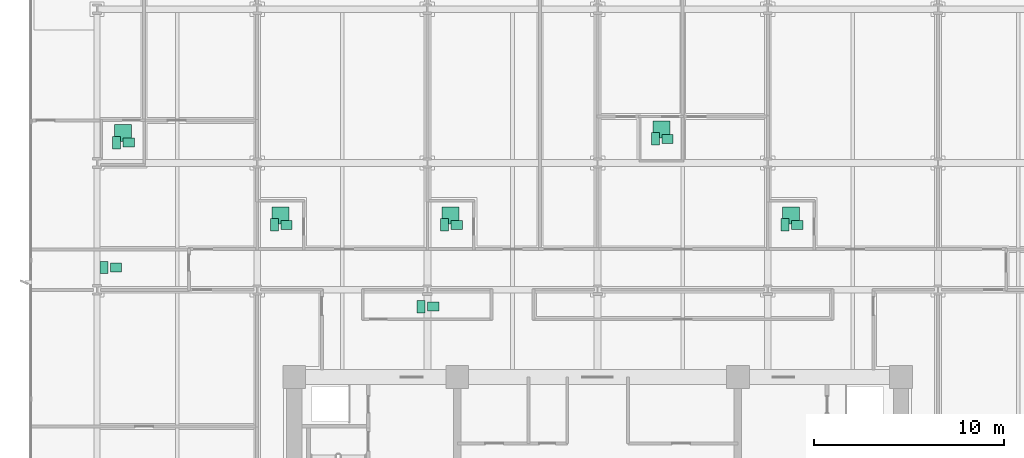
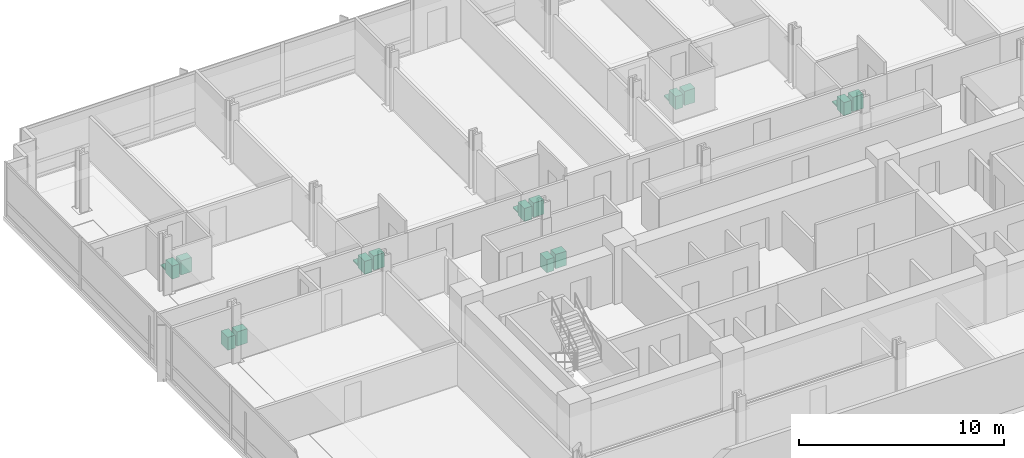
# One storey, part 15 of 15: 19 sanitary terminals.
"""IFC4 building model written with IfcOpenShell, lengths in metres."""

from ifc_helpers import new_model, si_unit, direction, frame, origin, origin_2d, place, context, subcontext, project, spatial, rectangle, extrude, material, type_object, element, save


model = new_model("IFC4")

# Units and contexts
model_context = context("Model", 3, precision=1e-05, world=origin(), true_north=direction((0.0, 1.0)))
body_context = subcontext(model_context, "Body", "Model", "MODEL_VIEW")
ifc_project = project(units=[si_unit("LENGTHUNIT", "METRE"), si_unit("AREAUNIT", "SQUARE_METRE"), si_unit("VOLUMEUNIT", "CUBIC_METRE"), si_unit("PLANEANGLEUNIT", "RADIAN"), si_unit("MASSUNIT", "GRAM", prefix="KILO")], contexts=[model_context])

# Site, building, storey
site_placement = place(None, origin())
site = spatial("IfcSite", under=ifc_project, at=site_placement, CompositionType="ELEMENT")
building_placement = place(site_placement, origin())
building = spatial("IfcBuilding", under=site, at=building_placement, Name="Solmavex Isthmus Hotel", CompositionType="ELEMENT")
storey_placement = place(building_placement, frame((0.0, 0.0, 33.300048828125)))
storey = spatial("IfcBuildingStorey", under=building, at=storey_placement, Name="L08", CompositionType="ELEMENT", Elevation=33.300048828125)

# Sanitary terminals
ifc_material = material(Name="Vitreous china ceramic", Category="ceramic")
sanitary_terminal_type_1 = type_object("IfcSanitaryTerminalType", Name="SAN-BASIN", PredefinedType="WASHHANDBASIN", material=ifc_material)
for number, where, z_axis, x_axis, name in (
    (1, (-24.720947265625, 9.863037109375, 0.0), (0.0, 0.0, 1.0), (1.0, 0.0, 0.0), "Vanity Washbasin L08-28"),
    (2, (-16.406982421875, 5.52490234375, 0.0), (0.0, 0.0, 1.0), (1.0, 0.0, 0.0), "Vanity Washbasin L08-29"),
    (3, (-7.430908203125, 5.52490234375, 0.0), (0.0, 0.0, 1.0), (1.0, 0.0, 0.0), "Vanity Washbasin L08-30"),
    (4, (3.68310546875, 10.06298828125, 0.0), (0.0, 0.0, 1.0), (1.0, 0.0, 0.0), "Vanity Washbasin L08-31"),
    (5, (10.52099609375, 5.52490234375, 0.0), (0.0, 0.0, 1.0), (1.0, 0.0, 0.0), "Vanity Washbasin L08-32"),
    (6, (-8.666015625, 1.21240234375, 0.0), (0.0, 0.0, 1.0), (1.0, 0.0, 0.0), "Vanity Washbasin L08-33"),
    (7, (-25.39599609375, 3.277587890625, 0.0), (0.0, 0.0, 1.0), (1.0, 0.0, 0.0), "Vanity Washbasin L08-34"),
):
    element("IfcSanitaryTerminal", number, at=place(storey_placement, frame(where, z_axis=z_axis, x_axis=x_axis)), inside=storey, type_object=sanitary_terminal_type_1, Name=name, PredefinedType="WASHHANDBASIN", context=body_context, shape_type="SweptSolid", body=[
        extrude(rectangle(XDim=0.60009765625, YDim=0.47998046875, at=origin_2d()), origin(), (0.0, 0.0, 1.0), 0.85009765625),
    ])
sanitary_terminal_type_2 = type_object("IfcSanitaryTerminalType", Name="SAN-SHOWER", PredefinedType="SHOWER", material=ifc_material)
for number, where, z_axis, x_axis, name in (
    (8, (-25.041015625, 10.363037109375, 0.0), (0.0, 0.0, 1.0), (1.0, 0.0, 0.0), "Walk-In Shower L08-28"),
    (9, (-16.72705078125, 6.02490234375, 0.0), (0.0, 0.0, 1.0), (1.0, 0.0, 0.0), "Walk-In Shower L08-29"),
    (10, (-7.7509765625, 6.02490234375, 0.0), (0.0, 0.0, 1.0), (1.0, 0.0, 0.0), "Walk-In Shower L08-30"),
    (11, (3.363037109375, 10.56298828125, 0.0), (0.0, 0.0, 1.0), (1.0, 0.0, 0.0), "Walk-In Shower L08-31"),
    (12, (10.200927734375, 6.02490234375, 0.0), (0.0, 0.0, 1.0), (1.0, 0.0, 0.0), "Walk-In Shower L08-32"),
):
    element("IfcSanitaryTerminal", number, at=place(storey_placement, frame(where, z_axis=z_axis, x_axis=x_axis)), inside=storey, type_object=sanitary_terminal_type_2, Name=name, PredefinedType="SHOWER", context=body_context, shape_type="SweptSolid", body=[
        extrude(rectangle(XDim=0.89990234375, YDim=0.89990234375, at=origin_2d()), origin(), (0.0, 0.0, 1.0), 0.080078125),
    ])
sanitary_terminal_type_3 = type_object("IfcSanitaryTerminalType", Name="SAN-WC-SUITE", PredefinedType="TOILETPAN", material=ifc_material)
for number, where, z_axis, x_axis, name in (
    (13, (-25.361083984375, 9.863037109375, 0.0), (0.0, 0.0, 1.0), (1.0, 0.0, 0.0), "Water Closet L08-28"),
    (14, (-17.047119140625, 5.52490234375, 0.0), (0.0, 0.0, 1.0), (1.0, 0.0, 0.0), "Water Closet L08-29"),
    (15, (-8.071044921875, 5.52490234375, 0.0), (0.0, 0.0, 1.0), (1.0, 0.0, 0.0), "Water Closet L08-30"),
    (16, (3.04296875, 10.06298828125, 0.0), (0.0, 0.0, 1.0), (1.0, 0.0, 0.0), "Water Closet L08-31"),
    (17, (9.881103515625, 5.52490234375, 0.0), (0.0, 0.0, 1.0), (1.0, 0.0, 0.0), "Water Closet L08-32"),
    (18, (-9.305908203125, 1.21240234375, 0.0), (0.0, 0.0, 1.0), (1.0, 0.0, 0.0), "Water Closet L08-33"),
    (19, (-26.035888671875, 3.277587890625, 0.0), (0.0, 0.0, 1.0), (1.0, 0.0, 0.0), "Water Closet L08-34"),
):
    element("IfcSanitaryTerminal", number, at=place(storey_placement, frame(where, z_axis=z_axis, x_axis=x_axis)), inside=storey, type_object=sanitary_terminal_type_3, Name=name, PredefinedType="TOILETPAN", context=body_context, shape_type="SweptSolid", body=[
        extrude(rectangle(XDim=0.419921875, YDim=0.64990234375, at=origin_2d()), origin(), (0.0, 0.0, 1.0), 0.780029296875),
    ])

save(model, "model.ifc")
